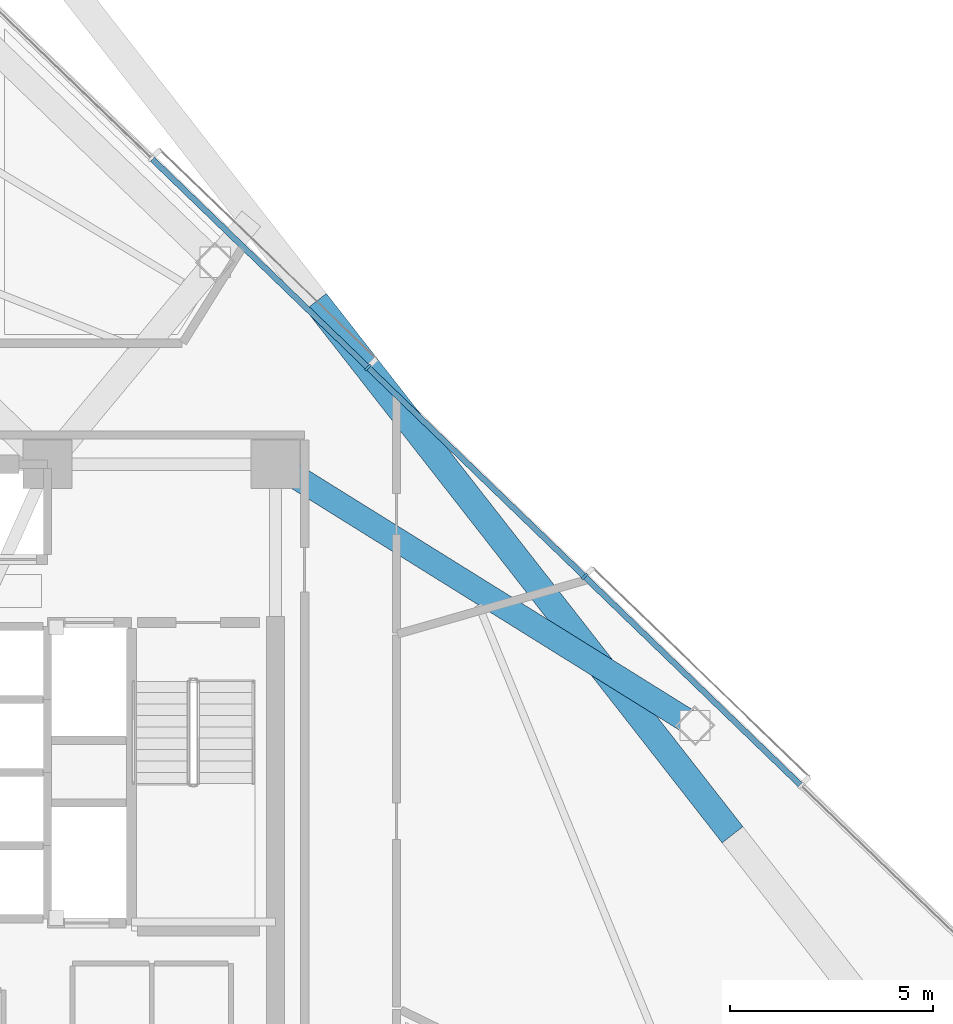
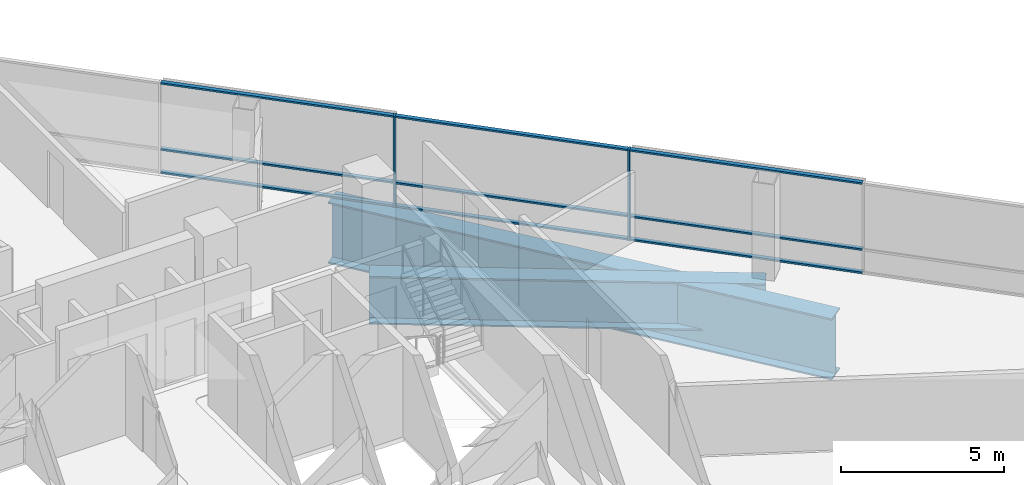
# One storey, part 9 of 21: 11 members, 2 beams, 1 element without a shape of its own.
"""IFC4 building model written with IfcOpenShell, lengths in metres."""

from ifc_helpers import new_model, si_unit, direction, frame, origin, origin_2d, place, context, subcontext, project, spatial, rectangle, i_section, extrude, material, layer, layer_set, material_profile, profile_set, type_object, element, aggregate, save


model = new_model("IFC4")

# Units and contexts
model_context = context("Model", 3, precision=1e-05, world=origin(), true_north=direction((0.0, 1.0)))
body_context = subcontext(model_context, "Body", "Model", "MODEL_VIEW")
ifc_project = project(units=[si_unit("LENGTHUNIT", "METRE"), si_unit("AREAUNIT", "SQUARE_METRE"), si_unit("VOLUMEUNIT", "CUBIC_METRE"), si_unit("PLANEANGLEUNIT", "RADIAN"), si_unit("MASSUNIT", "GRAM", prefix="KILO")], contexts=[model_context])

# Site, building, storey
site_placement = place(None, origin())
site = spatial("IfcSite", under=ifc_project, at=site_placement, CompositionType="ELEMENT")
building_placement = place(site_placement, origin())
building = spatial("IfcBuilding", under=site, at=building_placement, Name="Tharavind Bronze Gate", CompositionType="ELEMENT")
storey_placement = place(building_placement, frame((0.0, 0.0, 86.10009765625)))
storey = spatial("IfcBuildingStorey", under=building, at=storey_placement, Name="L21", CompositionType="ELEMENT", Elevation=86.10009765625)

# Curtain wall, members
ifc_material_1 = material(Name="Anodised Bronze Aluminium", Category="aluminium")
ifc_layer = layer(ifc_material_1, 0.219970703125)
ifc_layer_set = layer_set([ifc_layer], Name="Anodised Bronze Aluminium")
curtain_wall_type = type_object("IfcCurtainWallType", Name="UNITISED CURTAIN WALL LOWER OFFICE", PredefinedType="USERDEFINED", material=ifc_layer_set)
curtain_wall_placement = place(storey_placement, origin())
curtain_wall = element("IfcCurtainWall", 1, at=curtain_wall_placement, inside=storey, type_object=curtain_wall_type, Name="L21 unitised curtain wall lower office CW-L21-S3", ObjectType="UNITISED CURTAIN WALL", PredefinedType="USERDEFINED")
member_type_1 = type_object("IfcMemberType", Name="CURTAIN WALL BRONZE MULLION 65X180", PredefinedType="MULLION", material=ifc_material_1)
member_1_placement = place(storey_placement, frame((16.512939453125, 4.83251953125, 0.0), z_axis=(0.0, 0.0, 1.0), x_axis=(-0.719341012745, 0.694657114973, 0.0)))
member_1 = element("IfcMember", 2, at=member_1_placement, type_object=member_type_1, Name="CW-L21-S3 mullion 4", PredefinedType="MULLION", context=body_context, shape_type="SweptSolid", body=[
    extrude(rectangle(XDim=0.06494140625, YDim=0.179931640625, at=origin_2d()), origin(), (0.0, 0.0, 1.0), 3.409912109375),
])
member_2_placement = place(storey_placement, frame((11.1796875, 9.98291015625, 0.0), z_axis=(0.0, 0.0, 1.0), x_axis=(-0.719341012745, 0.694657114973, 0.0)))
member_2 = element("IfcMember", 3, at=member_2_placement, type_object=member_type_1, Name="CW-L21-S3 mullion 5", PredefinedType="MULLION", context=body_context, shape_type="SweptSolid", body=[
    extrude(rectangle(XDim=0.06494140625, YDim=0.179931640625, at=origin_2d()), origin(), (0.0, 0.0, 1.0), 3.409912109375),
])
member_type_2 = type_object("IfcMemberType", Name="CURTAIN WALL BRONZE TRANSOM 65X140", PredefinedType="USERDEFINED", material=ifc_material_1)
member_3_placement = place(storey_placement, frame((19.1796875, 2.25732421875, 0.0), z_axis=(0.0, 0.0, 1.0), x_axis=(-0.719341012745, 0.694657114973, 0.0)))
member_3 = element("IfcMember", 4, at=member_3_placement, type_object=member_type_2, Name="CW-L21-S3 transom TB3", ObjectType="TRANSOM", PredefinedType="USERDEFINED", context=body_context, shape_type="SweptSolid", body=[
    extrude(rectangle(XDim=7.361083984375, YDim=0.139892578125, at=origin_2d()), origin(), (0.0, 0.0, 1.0), 0.06494140625),
])
member_4_placement = place(storey_placement, frame((19.1796875, 2.25732421875, 0.867431640625), z_axis=(0.0, 0.0, 1.0), x_axis=(-0.719341012745, 0.694657114973, 0.0)))
member_4 = element("IfcMember", 5, at=member_4_placement, type_object=member_type_2, Name="CW-L21-S3 transom TS3", ObjectType="TRANSOM", PredefinedType="USERDEFINED", context=body_context, shape_type="SweptSolid", body=[
    extrude(rectangle(XDim=7.361083984375, YDim=0.139892578125, at=origin_2d()), origin(), (0.0, 0.0, 1.0), 0.06494140625),
])
member_5_placement = place(storey_placement, frame((19.1796875, 2.25732421875, 3.344970703125), z_axis=(0.0, 0.0, 1.0), x_axis=(-0.719341012745, 0.694657114973, 0.0)))
member_5 = element("IfcMember", 6, at=member_5_placement, type_object=member_type_2, Name="CW-L21-S3 transom TT3", ObjectType="TRANSOM", PredefinedType="USERDEFINED", context=body_context, shape_type="SweptSolid", body=[
    extrude(rectangle(XDim=7.361083984375, YDim=0.139892578125, at=origin_2d()), origin(), (0.0, 0.0, 1.0), 0.06494140625),
])
member_6_placement = place(storey_placement, frame((13.84619140625, 7.40771484375, 0.0), z_axis=(0.0, 0.0, 1.0), x_axis=(-0.719341012745, 0.694657114973, 0.0)))
member_6 = element("IfcMember", 7, at=member_6_placement, type_object=member_type_2, Name="CW-L21-S3 transom TB4", ObjectType="TRANSOM", PredefinedType="USERDEFINED", context=body_context, shape_type="SweptSolid", body=[
    extrude(rectangle(XDim=7.361083984375, YDim=0.139892578125, at=origin_2d()), origin(), (0.0, 0.0, 1.0), 0.06494140625),
])
member_7_placement = place(storey_placement, frame((13.84619140625, 7.40771484375, 0.867431640625), z_axis=(0.0, 0.0, 1.0), x_axis=(-0.719341012745, 0.694657114973, 0.0)))
member_7 = element("IfcMember", 8, at=member_7_placement, type_object=member_type_2, Name="CW-L21-S3 transom TS4", ObjectType="TRANSOM", PredefinedType="USERDEFINED", context=body_context, shape_type="SweptSolid", body=[
    extrude(rectangle(XDim=7.361083984375, YDim=0.139892578125, at=origin_2d()), origin(), (0.0, 0.0, 1.0), 0.06494140625),
])
member_8_placement = place(storey_placement, frame((13.84619140625, 7.40771484375, 3.344970703125), z_axis=(0.0, 0.0, 1.0), x_axis=(-0.719341012745, 0.694657114973, 0.0)))
member_8 = element("IfcMember", 9, at=member_8_placement, type_object=member_type_2, Name="CW-L21-S3 transom TT4", ObjectType="TRANSOM", PredefinedType="USERDEFINED", context=body_context, shape_type="SweptSolid", body=[
    extrude(rectangle(XDim=7.361083984375, YDim=0.139892578125, at=origin_2d()), origin(), (0.0, 0.0, 1.0), 0.06494140625),
])
member_9_placement = place(storey_placement, frame((8.512939453125, 12.55810546875, 0.0), z_axis=(0.0, 0.0, 1.0), x_axis=(-0.719341012745, 0.694657114973, 0.0)))
member_9 = element("IfcMember", 10, at=member_9_placement, type_object=member_type_2, Name="CW-L21-S3 transom TB5", ObjectType="TRANSOM", PredefinedType="USERDEFINED", context=body_context, shape_type="SweptSolid", body=[
    extrude(rectangle(XDim=7.361083984375, YDim=0.139892578125, at=origin_2d()), origin(), (0.0, 0.0, 1.0), 0.06494140625),
])
member_10_placement = place(storey_placement, frame((8.512939453125, 12.55810546875, 0.867431640625), z_axis=(0.0, 0.0, 1.0), x_axis=(-0.719341012745, 0.694657114973, 0.0)))
member_10 = element("IfcMember", 11, at=member_10_placement, type_object=member_type_2, Name="CW-L21-S3 transom TS5", ObjectType="TRANSOM", PredefinedType="USERDEFINED", context=body_context, shape_type="SweptSolid", body=[
    extrude(rectangle(XDim=7.361083984375, YDim=0.139892578125, at=origin_2d()), origin(), (0.0, 0.0, 1.0), 0.06494140625),
])
member_11_placement = place(storey_placement, frame((8.512939453125, 12.55810546875, 3.344970703125), z_axis=(0.0, 0.0, 1.0), x_axis=(-0.719341012745, 0.694657114973, 0.0)))
member_11 = element("IfcMember", 12, at=member_11_placement, type_object=member_type_2, Name="CW-L21-S3 transom TT5", ObjectType="TRANSOM", PredefinedType="USERDEFINED", context=body_context, shape_type="SweptSolid", body=[
    extrude(rectangle(XDim=7.361083984375, YDim=0.139892578125, at=origin_2d()), origin(), (0.0, 0.0, 1.0), 0.06494140625),
])
aggregate(curtain_wall, [member_1, member_2, member_3, member_4, member_5, member_6, member_7, member_8, member_9, member_10, member_11])

# Beams
ifc_material_2 = material(Name="Steel S460", Category="steel")
ifc_material_profile_1 = material_profile(ifc_material_2, i_section(OverallWidth=0.60009765625, OverallDepth=1.800048828125, WebThickness=0.031982421875, FlangeThickness=0.054931640625, at=origin_2d()), Name="PG1800X600")
ifc_profile_set_1 = profile_set([ifc_material_profile_1], Name="Steel S460")
beam_type_1 = type_object("IfcBeamType", Name="TRANSFER GIRDER 1800X600", PredefinedType="USERDEFINED", material=ifc_profile_set_1)
beam_1_placement = place(storey_placement, frame((8.89990234375, 7.60009765625, -1.090087890625), z_axis=(0.848750917637, -0.528792851513, 0.0), x_axis=(0.528792851513, 0.848750917637, 0.0)))
element("IfcBeam", 13, at=beam_1_placement, inside=storey, type_object=beam_type_1, Name="L21 transfer girder 1800x600 BM-L21-XFR10", ObjectType="TRANSFER GIRDER", PredefinedType="USERDEFINED", context=body_context, shape_type="SweptSolid", body=[
    extrude(i_section(OverallWidth=0.60009765625, OverallDepth=1.800048828125, WebThickness=0.031982421875, FlangeThickness=0.054931640625, at=origin_2d()), origin(), (0.0, 0.0, 1.0), 12.17822265625),
])
ifc_material_profile_2 = material_profile(ifc_material_2, i_section(OverallWidth=0.64990234375, OverallDepth=2.300048828125, WebThickness=0.035888671875, FlangeThickness=0.05810546875, at=origin_2d()), Name="PG2300X650")
ifc_profile_set_2 = profile_set([ifc_material_profile_2], Name="Steel S460")
beam_type_2 = type_object("IfcBeamType", Name="TRANSFER GIRDER 2300X650", PredefinedType="USERDEFINED", material=ifc_profile_set_2)
beam_2_placement = place(storey_placement, frame((20.16015625, -1.529296875, -1.340087890625), z_axis=(-0.615663937513, 0.788008829929, 0.0), x_axis=(-0.788008829929, -0.615663937513, 0.0)))
element("IfcBeam", 14, at=beam_2_placement, inside=storey, type_object=beam_type_2, Name="L21 transfer girder 2300x650 BM-L21-LRG10", ObjectType="TRANSFER GIRDER", PredefinedType="USERDEFINED", context=body_context, shape_type="SweptSolid", body=[
    extrude(i_section(OverallWidth=0.64990234375, OverallDepth=2.300048828125, WebThickness=0.035888671875, FlangeThickness=0.05810546875, at=origin_2d()), origin(), (0.0, 0.0, 1.0), 16.6689453125),
])

save(model, "model.ifc")
